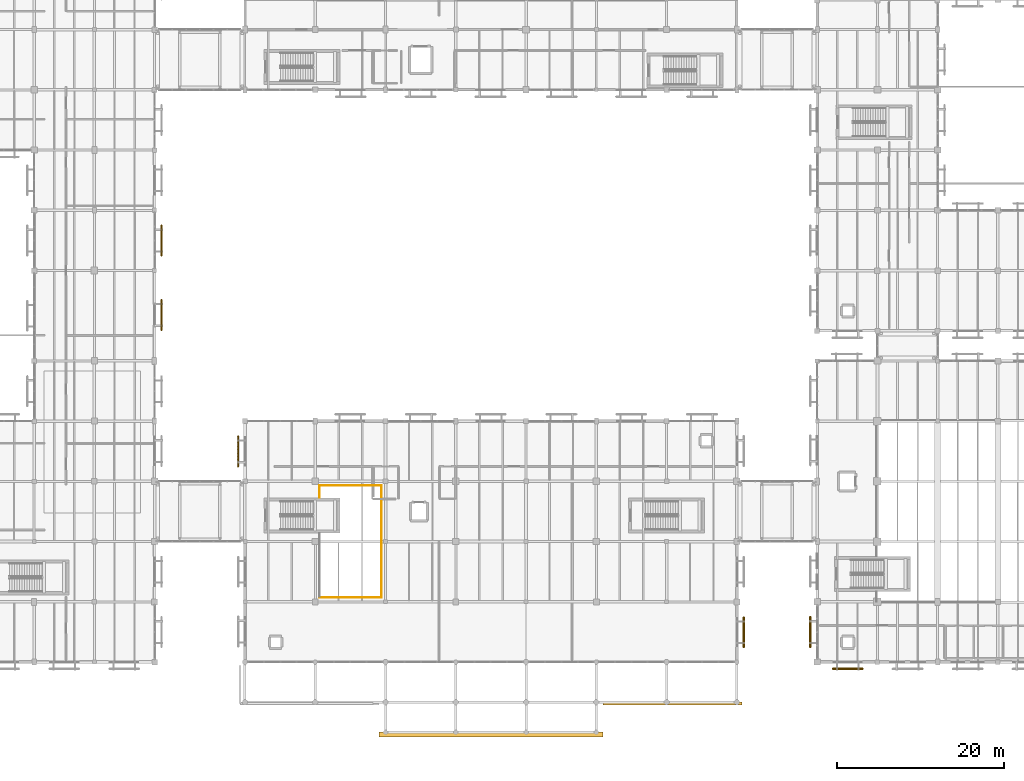
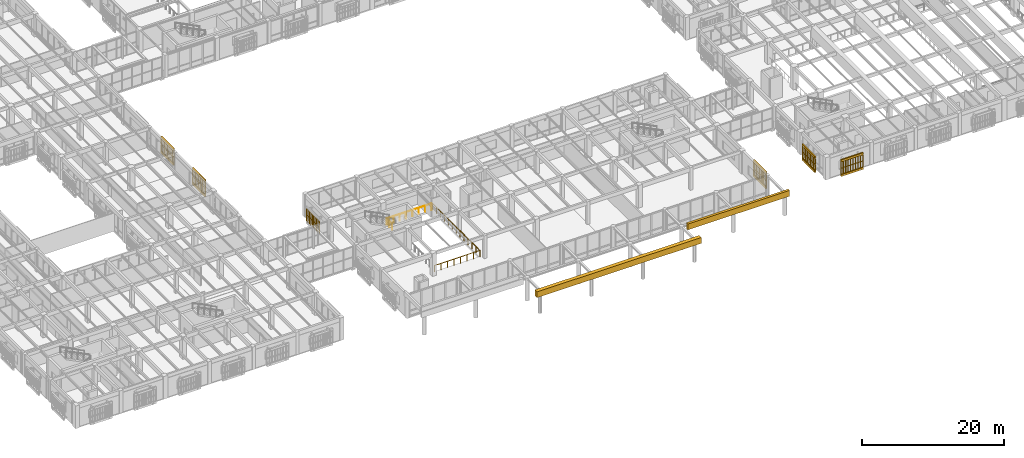
# One storey, part 153 of 170: 14 railings, 12 coverings.
"""IFC4 building model written with IfcOpenShell, lengths in metres."""

from ifc_helpers import new_model, si_unit, direction, frame, origin, origin_2d, place, context, subcontext, project, spatial, polyline, circle, outline, extrude, material, layer, layer_set, type_object, element, save


model = new_model("IFC4")

# Units and contexts
model_context = context("Model", 3, precision=1e-05, world=origin(), true_north=direction((0.0, 1.0)))
body_context = subcontext(model_context, "Body", "Model", "MODEL_VIEW")
ifc_project = project(units=[si_unit("LENGTHUNIT", "METRE"), si_unit("AREAUNIT", "SQUARE_METRE"), si_unit("VOLUMEUNIT", "CUBIC_METRE"), si_unit("PLANEANGLEUNIT", "RADIAN"), si_unit("MASSUNIT", "GRAM", prefix="KILO")], contexts=[model_context])

# Site, building, storey
site_placement = place(None, origin())
site = spatial("IfcSite", under=ifc_project, at=site_placement, CompositionType="ELEMENT")
building_placement = place(site_placement, origin())
building = spatial("IfcBuilding", under=site, at=building_placement, Name="Mazaris Harbour Polytechnic", CompositionType="ELEMENT")
storey_placement = place(building_placement, frame((0.0, 0.0, 5.39990234375)))
storey = spatial("IfcBuildingStorey", under=building, at=storey_placement, Name="L01", CompositionType="ELEMENT", Elevation=5.39990234375)

# Coverings
ifc_material_1 = material(Name="Algerian Buff Limestone", Category="masonry")
ifc_layer_1 = layer(ifc_material_1, 0.054931640625, Name="Algerian Buff Limestone")
ifc_layer_set_1 = layer_set([ifc_layer_1], Name="Algerian Buff Limestone")
covering_type_1 = type_object("IfcCoveringType", Name="Limestone Colonnade Fascia Cladding 55", PredefinedType="CLADDING", material=ifc_layer_set_1)
covering_1_placement = place(storey_placement, frame((0.0, 0.0, 3.150146484375)))
element("IfcCovering", 1, at=covering_1_placement, inside=storey, type_object=covering_type_1, Name="Covering COV-CL-02", PredefinedType="CLADDING", context=body_context, shape_type="SweptSolid", body=[
    extrude(outline(polyline([(96.800048828125, 2.050048828125), (113.39990234375, 2.050048828125), (113.39990234375, 2.449951171875), (96.800048828125, 2.449951171875), (96.800048828125, 2.050048828125)])), origin(), (0.0, 0.0, 1.0), 1.0),
])
covering_2_placement = place(storey_placement, frame((0.0, 0.0, 3.150146484375)))
element("IfcCovering", 2, at=covering_2_placement, inside=storey, type_object=covering_type_1, Name="Covering COV-CL-03", PredefinedType="CLADDING", context=body_context, shape_type="SweptSolid", body=[
    extrude(outline(polyline([(70.0, -1.75), (96.800048828125, -1.75), (96.800048828125, -1.14990234375), (70.0, -1.14990234375), (70.0, -1.75)])), origin(), (0.0, 0.0, 1.0), 1.0),
])

# Railings
ifc_material_2 = material(Name="Steel S355", Category="steel")
railing_type_1 = type_object("IfcRailingType", Name="Mezzanine Steel Guardrail 1100", PredefinedType="GUARDRAIL", material=ifc_material_2)
railing_1_placement = place(storey_placement, frame((62.89990234375, 14.89990234375, 0.0)))
element("IfcRailing", 3, at=railing_1_placement, inside=storey, type_object=railing_type_1, Name="Railing GRD-V3-REF-1", PredefinedType="GUARDRAIL", context=body_context, shape_type="SweptSolid", body=[
    extrude(circle(Radius=0.02392578125, at=origin_2d()), frame((0.0, 0.0, 1.09619140625), z_axis=(1.0, 0.0, 0.0), x_axis=(0.0, 1.0, 0.0)), (0.0, 0.0, 1.0), 7.400146484375),
    extrude(circle(Radius=0.02392578125, at=origin_2d()), frame((7.400146484375, 0.0, 1.09619140625), z_axis=(0.0, 1.0, 0.0), x_axis=(-1.0, 0.0, 0.0)), (0.0, 0.0, 1.0), 13.400146484375),
    extrude(circle(Radius=0.02099609375, at=origin_2d()), origin(), (0.0, 0.0, 1.0), 1.072021484375),
    extrude(circle(Radius=0.02099609375, at=origin_2d()), frame((1.05712890625, 0.0, 0.0)), (0.0, 0.0, 1.0), 1.072021484375),
    extrude(circle(Radius=0.02099609375, at=origin_2d()), frame((2.1142578125, 0.0, 0.0)), (0.0, 0.0, 1.0), 1.072021484375),
    extrude(circle(Radius=0.02099609375, at=origin_2d()), frame((3.17138671875, 0.0, 0.0)), (0.0, 0.0, 1.0), 1.072021484375),
    extrude(circle(Radius=0.02099609375, at=origin_2d()), frame((4.228759765625, 0.0, 0.0)), (0.0, 0.0, 1.0), 1.072021484375),
    extrude(circle(Radius=0.02099609375, at=origin_2d()), frame((5.285888671875, 0.0, 0.0)), (0.0, 0.0, 1.0), 1.072021484375),
    extrude(circle(Radius=0.02099609375, at=origin_2d()), frame((6.343017578125, 0.0, 0.0)), (0.0, 0.0, 1.0), 1.072021484375),
    extrude(circle(Radius=0.02099609375, at=origin_2d()), frame((7.400146484375, 0.0, 0.0)), (0.0, 0.0, 1.0), 1.072021484375),
    extrude(circle(Radius=0.02099609375, at=origin_2d()), frame((7.400146484375, 1.11669921875, 0.0)), (0.0, 0.0, 1.0), 1.072021484375),
    extrude(circle(Radius=0.02099609375, at=origin_2d()), frame((7.400146484375, 2.2333984375, 0.0)), (0.0, 0.0, 1.0), 1.072021484375),
    extrude(circle(Radius=0.02099609375, at=origin_2d()), frame((7.400146484375, 3.35009765625, 0.0)), (0.0, 0.0, 1.0), 1.072021484375),
    extrude(circle(Radius=0.02099609375, at=origin_2d()), frame((7.400146484375, 4.466796875, 0.0)), (0.0, 0.0, 1.0), 1.072021484375),
    extrude(circle(Radius=0.02099609375, at=origin_2d()), frame((7.400146484375, 5.58349609375, 0.0)), (0.0, 0.0, 1.0), 1.072021484375),
    extrude(circle(Radius=0.02099609375, at=origin_2d()), frame((7.400146484375, 6.7001953125, 0.0)), (0.0, 0.0, 1.0), 1.072021484375),
    extrude(circle(Radius=0.02099609375, at=origin_2d()), frame((7.400146484375, 7.816650390625, 0.0)), (0.0, 0.0, 1.0), 1.072021484375),
    extrude(circle(Radius=0.02099609375, at=origin_2d()), frame((7.400146484375, 8.933349609375, 0.0)), (0.0, 0.0, 1.0), 1.072021484375),
    extrude(circle(Radius=0.02099609375, at=origin_2d()), frame((7.400146484375, 10.050048828125, 0.0)), (0.0, 0.0, 1.0), 1.072021484375),
    extrude(circle(Radius=0.02099609375, at=origin_2d()), frame((7.400146484375, 11.166748046875, 0.0)), (0.0, 0.0, 1.0), 1.072021484375),
    extrude(circle(Radius=0.02099609375, at=origin_2d()), frame((7.400146484375, 12.283447265625, 0.0)), (0.0, 0.0, 1.0), 1.072021484375),
    extrude(circle(Radius=0.02099609375, at=origin_2d()), frame((7.400146484375, 13.400146484375, 0.0)), (0.0, 0.0, 1.0), 1.072021484375),
])
railing_2_placement = place(storey_placement, frame((70.14990234375, 28.300048828125, 0.0)))
element("IfcRailing", 4, at=railing_2_placement, inside=storey, type_object=railing_type_1, Name="Railing GRD-V3-REF-2", PredefinedType="GUARDRAIL", context=body_context, shape_type="SweptSolid", body=[
    extrude(circle(Radius=0.02392578125, at=origin_2d()), frame((0.0, 0.0, 1.09619140625), z_axis=(-1.0, 0.0, 0.0), x_axis=(0.0, -1.0, 0.0)), (0.0, 0.0, 1.0), 7.25),
    extrude(circle(Radius=0.02392578125, at=origin_2d()), frame((-7.25, 0.0, 1.09619140625), z_axis=(0.0, -1.0, 0.0), x_axis=(1.0, 0.0, 0.0)), (0.0, 0.0, 1.0), 1.449951171875),
    extrude(circle(Radius=0.02099609375, at=origin_2d()), origin(), (0.0, 0.0, 1.0), 1.072021484375),
    extrude(circle(Radius=0.02099609375, at=origin_2d()), frame((-1.03564453125, 0.0, 0.0)), (0.0, 0.0, 1.0), 1.072021484375),
    extrude(circle(Radius=0.02099609375, at=origin_2d()), frame((-2.071533203125, 0.0, 0.0)), (0.0, 0.0, 1.0), 1.072021484375),
    extrude(circle(Radius=0.02099609375, at=origin_2d()), frame((-3.107177734375, 0.0, 0.0)), (0.0, 0.0, 1.0), 1.072021484375),
    extrude(circle(Radius=0.02099609375, at=origin_2d()), frame((-4.142822265625, 0.0, 0.0)), (0.0, 0.0, 1.0), 1.072021484375),
    extrude(circle(Radius=0.02099609375, at=origin_2d()), frame((-5.178466796875, 0.0, 0.0)), (0.0, 0.0, 1.0), 1.072021484375),
    extrude(circle(Radius=0.02099609375, at=origin_2d()), frame((-6.21435546875, 0.0, 0.0)), (0.0, 0.0, 1.0), 1.072021484375),
    extrude(circle(Radius=0.02099609375, at=origin_2d()), frame((-7.25, 0.0, 0.0)), (0.0, 0.0, 1.0), 1.072021484375),
    extrude(circle(Radius=0.02099609375, at=origin_2d()), frame((-7.25, -0.72509765625, 0.0)), (0.0, 0.0, 1.0), 1.072021484375),
    extrude(circle(Radius=0.02099609375, at=origin_2d()), frame((-7.25, -1.449951171875, 0.0)), (0.0, 0.0, 1.0), 1.072021484375),
])
ifc_material_3 = material(Name="Perforated Earth-Coloured Terracotta Block", Category="masonry")
railing_type_2 = type_object("IfcRailingType", Name="Perforated Earth-Block Claustra Lattice 1040", PredefinedType="BALUSTRADE", material=ifc_material_3)
for number, where, name in (
    (5, (127.85009765625, 6.3798828125, 0.52001953125), "V2 L01 Lower Perforated Terracotta Block Screen 45"),
    (6, (127.85009765625, 6.3798828125, 1.610107421875), "V2 L01 Upper Perforated Terracotta Block Screen 45"),
):
    element("IfcRailing", number, at=place(storey_placement, frame(where)), inside=storey, type_object=railing_type_2, Name=name, PredefinedType="BALUSTRADE", context=body_context, shape_type="SweptSolid", body=[
        extrude(circle(Radius=0.06982421875, at=origin_2d()), frame((0.0, 0.0, 1.02001953125), z_axis=(-1.0, 0.0, 0.0), x_axis=(0.0, -1.0, 0.0)), (0.0, 0.0, 1.0), 3.60009765625),
        extrude(circle(Radius=0.074951171875, at=origin_2d()), origin(), (0.0, 0.0, 1.0), 0.9501953125),
        extrude(circle(Radius=0.074951171875, at=origin_2d()), frame((-0.39990234375, 0.0, 0.0)), (0.0, 0.0, 1.0), 0.9501953125),
        extrude(circle(Radius=0.074951171875, at=origin_2d()), frame((-0.800048828125, 0.0, 0.0)), (0.0, 0.0, 1.0), 0.9501953125),
        extrude(circle(Radius=0.074951171875, at=origin_2d()), frame((-1.199951171875, 0.0, 0.0)), (0.0, 0.0, 1.0), 0.9501953125),
        extrude(circle(Radius=0.074951171875, at=origin_2d()), frame((-1.60009765625, 0.0, 0.0)), (0.0, 0.0, 1.0), 0.9501953125),
        extrude(circle(Radius=0.074951171875, at=origin_2d()), frame((-2.0, 0.0, 0.0)), (0.0, 0.0, 1.0), 0.9501953125),
        extrude(circle(Radius=0.074951171875, at=origin_2d()), frame((-2.400146484375, 0.0, 0.0)), (0.0, 0.0, 1.0), 0.9501953125),
        extrude(circle(Radius=0.074951171875, at=origin_2d()), frame((-2.800048828125, 0.0, 0.0)), (0.0, 0.0, 1.0), 0.9501953125),
        extrude(circle(Radius=0.074951171875, at=origin_2d()), frame((-3.2001953125, 0.0, 0.0)), (0.0, 0.0, 1.0), 0.9501953125),
        extrude(circle(Radius=0.074951171875, at=origin_2d()), frame((-3.60009765625, 0.0, 0.0)), (0.0, 0.0, 1.0), 0.9501953125),
    ])
for number, where, name in (
    (7, (121.580078125, 8.987548828125, 0.52001953125), "V2 L01 Lower Perforated Terracotta Block Screen 58"),
    (8, (121.580078125, 8.987548828125, 1.585205078125), "V2 L01 Upper Perforated Terracotta Block Screen 58"),
):
    element("IfcRailing", number, at=place(storey_placement, frame(where)), inside=storey, type_object=railing_type_2, Name=name, PredefinedType="BALUSTRADE", context=body_context, shape_type="SweptSolid", body=[
        extrude(circle(Radius=0.06982421875, at=origin_2d()), frame((0.0, 0.0, 0.9951171875), z_axis=(0.0, 1.0, 0.0), x_axis=(-1.0, 0.0, 0.0)), (0.0, 0.0, 1.0), 3.599853515625),
        extrude(circle(Radius=0.074951171875, at=origin_2d()), origin(), (0.0, 0.0, 1.0), 0.925048828125),
        extrude(circle(Radius=0.074951171875, at=origin_2d()), frame((0.0, 0.449951171875, 0.0)), (0.0, 0.0, 1.0), 0.925048828125),
        extrude(circle(Radius=0.074951171875, at=origin_2d()), frame((0.0, 0.89990234375, 0.0)), (0.0, 0.0, 1.0), 0.925048828125),
        extrude(circle(Radius=0.074951171875, at=origin_2d()), frame((0.0, 1.349853515625, 0.0)), (0.0, 0.0, 1.0), 0.925048828125),
        extrude(circle(Radius=0.074951171875, at=origin_2d()), frame((0.0, 1.7998046875, 0.0)), (0.0, 0.0, 1.0), 0.925048828125),
        extrude(circle(Radius=0.074951171875, at=origin_2d()), frame((0.0, 2.25, 0.0)), (0.0, 0.0, 1.0), 0.925048828125),
        extrude(circle(Radius=0.074951171875, at=origin_2d()), frame((0.0, 2.699951171875, 0.0)), (0.0, 0.0, 1.0), 0.925048828125),
        extrude(circle(Radius=0.074951171875, at=origin_2d()), frame((0.0, 3.14990234375, 0.0)), (0.0, 0.0, 1.0), 0.925048828125),
        extrude(circle(Radius=0.074951171875, at=origin_2d()), frame((0.0, 3.599853515625, 0.0)), (0.0, 0.0, 1.0), 0.925048828125),
    ])
for number, where, name in (
    (9, (53.179931640625, 30.58740234375, 0.52001953125), "V3 L01 Lower Perforated Terracotta Block Screen 118"),
    (10, (53.179931640625, 30.58740234375, 1.610107421875), "V3 L01 Upper Perforated Terracotta Block Screen 118"),
):
    element("IfcRailing", number, at=place(storey_placement, frame(where)), inside=storey, type_object=railing_type_2, Name=name, PredefinedType="BALUSTRADE", context=body_context, shape_type="SweptSolid", body=[
        extrude(circle(Radius=0.06982421875, at=origin_2d()), frame((0.0, 0.0, 1.02001953125), z_axis=(0.0, 1.0, 0.0), x_axis=(-1.0, 0.0, 0.0)), (0.0, 0.0, 1.0), 3.60009765625),
        extrude(circle(Radius=0.074951171875, at=origin_2d()), origin(), (0.0, 0.0, 1.0), 0.9501953125),
        extrude(circle(Radius=0.074951171875, at=origin_2d()), frame((0.0, 0.39990234375, 0.0)), (0.0, 0.0, 1.0), 0.9501953125),
        extrude(circle(Radius=0.074951171875, at=origin_2d()), frame((0.0, 0.800048828125, 0.0)), (0.0, 0.0, 1.0), 0.9501953125),
        extrude(circle(Radius=0.074951171875, at=origin_2d()), frame((0.0, 1.199951171875, 0.0)), (0.0, 0.0, 1.0), 0.9501953125),
        extrude(circle(Radius=0.074951171875, at=origin_2d()), frame((0.0, 1.60009765625, 0.0)), (0.0, 0.0, 1.0), 0.9501953125),
        extrude(circle(Radius=0.074951171875, at=origin_2d()), frame((0.0, 2.0, 0.0)), (0.0, 0.0, 1.0), 0.9501953125),
        extrude(circle(Radius=0.074951171875, at=origin_2d()), frame((0.0, 2.400146484375, 0.0)), (0.0, 0.0, 1.0), 0.9501953125),
        extrude(circle(Radius=0.074951171875, at=origin_2d()), frame((0.0, 2.800048828125, 0.0)), (0.0, 0.0, 1.0), 0.9501953125),
        extrude(circle(Radius=0.074951171875, at=origin_2d()), frame((0.0, 3.2001953125, 0.0)), (0.0, 0.0, 1.0), 0.9501953125),
        extrude(circle(Radius=0.074951171875, at=origin_2d()), frame((0.0, 3.60009765625, 0.0)), (0.0, 0.0, 1.0), 0.9501953125),
    ])
for number, where, name in (
    (11, (113.6201171875, 12.5625, 0.52001953125), "V3 L01 Lower Perforated Terracotta Block Screen 119"),
    (12, (113.6201171875, 12.5625, 1.610107421875), "V3 L01 Upper Perforated Terracotta Block Screen 119"),
    (13, (44.02001953125, 50.5, 0.52001953125), "V4 L01 Lower Perforated Terracotta Block Screen 183"),
    (14, (44.02001953125, 50.5, 1.610107421875), "V4 L01 Upper Perforated Terracotta Block Screen 183"),
):
    element("IfcRailing", number, at=place(storey_placement, frame(where)), inside=storey, type_object=railing_type_2, Name=name, PredefinedType="BALUSTRADE", context=body_context, shape_type="SweptSolid", body=[
        extrude(circle(Radius=0.06982421875, at=origin_2d()), frame((0.0, 0.0, 1.02001953125), z_axis=(0.0, -1.0, 0.0), x_axis=(1.0, 0.0, 0.0)), (0.0, 0.0, 1.0), 3.60009765625),
        extrude(circle(Radius=0.074951171875, at=origin_2d()), origin(), (0.0, 0.0, 1.0), 0.9501953125),
        extrude(circle(Radius=0.074951171875, at=origin_2d()), frame((0.0, -0.39990234375, 0.0)), (0.0, 0.0, 1.0), 0.9501953125),
        extrude(circle(Radius=0.074951171875, at=origin_2d()), frame((0.0, -0.800048828125, 0.0)), (0.0, 0.0, 1.0), 0.9501953125),
        extrude(circle(Radius=0.074951171875, at=origin_2d()), frame((0.0, -1.199951171875, 0.0)), (0.0, 0.0, 1.0), 0.9501953125),
        extrude(circle(Radius=0.074951171875, at=origin_2d()), frame((0.0, -1.60009765625, 0.0)), (0.0, 0.0, 1.0), 0.9501953125),
        extrude(circle(Radius=0.074951171875, at=origin_2d()), frame((0.0, -2.0, 0.0)), (0.0, 0.0, 1.0), 0.9501953125),
        extrude(circle(Radius=0.074951171875, at=origin_2d()), frame((0.0, -2.400146484375, 0.0)), (0.0, 0.0, 1.0), 0.9501953125),
        extrude(circle(Radius=0.074951171875, at=origin_2d()), frame((0.0, -2.800048828125, 0.0)), (0.0, 0.0, 1.0), 0.9501953125),
        extrude(circle(Radius=0.074951171875, at=origin_2d()), frame((0.0, -3.2001953125, 0.0)), (0.0, 0.0, 1.0), 0.9501953125),
        extrude(circle(Radius=0.074951171875, at=origin_2d()), frame((0.0, -3.60009765625, 0.0)), (0.0, 0.0, 1.0), 0.9501953125),
    ])
for number, where, name in (
    (15, (44.02001953125, 59.387451171875, 0.52001953125), "V4 L01 Lower Perforated Terracotta Block Screen 184"),
    (16, (44.02001953125, 59.387451171875, 1.610107421875), "V4 L01 Upper Perforated Terracotta Block Screen 184"),
):
    element("IfcRailing", number, at=place(storey_placement, frame(where)), inside=storey, type_object=railing_type_2, Name=name, PredefinedType="BALUSTRADE", context=body_context, shape_type="SweptSolid", body=[
        extrude(circle(Radius=0.06982421875, at=origin_2d()), frame((0.0, 0.0, 1.02001953125), z_axis=(0.0, -1.0, 0.0), x_axis=(1.0, 0.0, 0.0)), (0.0, 0.0, 1.0), 3.599853515625),
        extrude(circle(Radius=0.074951171875, at=origin_2d()), origin(), (0.0, 0.0, 1.0), 0.9501953125),
        extrude(circle(Radius=0.074951171875, at=origin_2d()), frame((0.0, -0.449951171875, 0.0)), (0.0, 0.0, 1.0), 0.9501953125),
        extrude(circle(Radius=0.074951171875, at=origin_2d()), frame((0.0, -0.89990234375, 0.0)), (0.0, 0.0, 1.0), 0.9501953125),
        extrude(circle(Radius=0.074951171875, at=origin_2d()), frame((0.0, -1.349853515625, 0.0)), (0.0, 0.0, 1.0), 0.9501953125),
        extrude(circle(Radius=0.074951171875, at=origin_2d()), frame((0.0, -1.7998046875, 0.0)), (0.0, 0.0, 1.0), 0.9501953125),
        extrude(circle(Radius=0.074951171875, at=origin_2d()), frame((0.0, -2.25, 0.0)), (0.0, 0.0, 1.0), 0.9501953125),
        extrude(circle(Radius=0.074951171875, at=origin_2d()), frame((0.0, -2.699951171875, 0.0)), (0.0, 0.0, 1.0), 0.9501953125),
        extrude(circle(Radius=0.074951171875, at=origin_2d()), frame((0.0, -3.14990234375, 0.0)), (0.0, 0.0, 1.0), 0.9501953125),
        extrude(circle(Radius=0.074951171875, at=origin_2d()), frame((0.0, -3.599853515625, 0.0)), (0.0, 0.0, 1.0), 0.9501953125),
    ])

# Coverings
ifc_material_4 = material(Name="Perforated Earth-Coloured Terracotta Block", Category="masonry")
ifc_layer_2 = layer(ifc_material_4, 0.219970703125, Name="Perforated Earth-Coloured Terracotta Block")
ifc_layer_set_2 = layer_set([ifc_layer_2], Name="Perforated Earth-Coloured Terracotta Block")
covering_type_2 = type_object("IfcCoveringType", Name="Terracotta Screen Course Cladding 220", PredefinedType="CLADDING", material=ifc_layer_set_2)
covering_3_placement = place(storey_placement, frame((0.0, 0.0, 0.16015625)))
element("IfcCovering", 17, at=covering_3_placement, inside=storey, type_object=covering_type_2, Name="V2 L01 Perforated Screen Sill Course 45", PredefinedType="CLADDING", context=body_context, shape_type="SweptSolid", body=[
    extrude(outline(polyline([(127.85009765625, 6.489990234375), (124.25, 6.489990234375), (124.25, 6.27001953125), (127.85009765625, 6.27001953125), (127.85009765625, 6.489990234375)])), origin(), (0.0, 0.0, 1.0), 0.35986328125),
])
covering_4_placement = place(storey_placement, frame((0.0, 0.0, 2.7001953125)))
element("IfcCovering", 18, at=covering_4_placement, inside=storey, type_object=covering_type_2, Name="V2 L01 Perforated Screen Lintel Course 45", PredefinedType="CLADDING", context=body_context, shape_type="SweptSolid", body=[
    extrude(outline(polyline([(127.85009765625, 6.489990234375), (124.25, 6.489990234375), (124.25, 6.27001953125), (127.85009765625, 6.27001953125), (127.85009765625, 6.489990234375)])), origin(), (0.0, 0.0, 1.0), 0.33984375),
])
covering_5_placement = place(storey_placement, frame((0.0, 0.0, 0.16015625)))
element("IfcCovering", 19, at=covering_5_placement, inside=storey, type_object=covering_type_2, Name="V2 L01 Perforated Screen Sill Course 58", PredefinedType="CLADDING", context=body_context, shape_type="SweptSolid", body=[
    extrude(outline(polyline([(121.68994140625, 8.987548828125), (121.68994140625, 12.58740234375), (121.469970703125, 12.58740234375), (121.469970703125, 8.987548828125), (121.68994140625, 8.987548828125)])), origin(), (0.0, 0.0, 1.0), 0.35986328125),
])
covering_6_placement = place(storey_placement, frame((0.0, 0.0, 2.650146484375)))
element("IfcCovering", 20, at=covering_6_placement, inside=storey, type_object=covering_type_2, Name="V2 L01 Perforated Screen Lintel Course 58", PredefinedType="CLADDING", context=body_context, shape_type="SweptSolid", body=[
    extrude(outline(polyline([(121.68994140625, 8.987548828125), (121.68994140625, 12.58740234375), (121.469970703125, 12.58740234375), (121.469970703125, 8.987548828125), (121.68994140625, 8.987548828125)])), origin(), (0.0, 0.0, 1.0), 0.33984375),
])
covering_7_placement = place(storey_placement, frame((0.0, 0.0, 0.16015625)))
element("IfcCovering", 21, at=covering_7_placement, inside=storey, type_object=covering_type_2, Name="V3 L01 Perforated Screen Sill Course 119", PredefinedType="CLADDING", context=body_context, shape_type="SweptSolid", body=[
    extrude(outline(polyline([(113.510009765625, 12.5625), (113.510009765625, 8.96240234375), (113.72998046875, 8.96240234375), (113.72998046875, 12.5625), (113.510009765625, 12.5625)])), origin(), (0.0, 0.0, 1.0), 0.35986328125),
])
covering_8_placement = place(storey_placement, frame((0.0, 0.0, 2.7001953125)))
element("IfcCovering", 22, at=covering_8_placement, inside=storey, type_object=covering_type_2, Name="V3 L01 Perforated Screen Lintel Course 119", PredefinedType="CLADDING", context=body_context, shape_type="SweptSolid", body=[
    extrude(outline(polyline([(113.510009765625, 12.5625), (113.510009765625, 8.96240234375), (113.72998046875, 8.96240234375), (113.72998046875, 12.5625), (113.510009765625, 12.5625)])), origin(), (0.0, 0.0, 1.0), 0.33984375),
])
covering_9_placement = place(storey_placement, frame((0.0, 0.0, 0.16015625)))
element("IfcCovering", 23, at=covering_9_placement, inside=storey, type_object=covering_type_2, Name="V4 L01 Perforated Screen Sill Course 183", PredefinedType="CLADDING", context=body_context, shape_type="SweptSolid", body=[
    extrude(outline(polyline([(43.909912109375, 50.5), (43.909912109375, 46.89990234375), (44.1298828125, 46.89990234375), (44.1298828125, 50.5), (43.909912109375, 50.5)])), origin(), (0.0, 0.0, 1.0), 0.35986328125),
])
covering_10_placement = place(storey_placement, frame((0.0, 0.0, 2.7001953125)))
element("IfcCovering", 24, at=covering_10_placement, inside=storey, type_object=covering_type_2, Name="V4 L01 Perforated Screen Lintel Course 183", PredefinedType="CLADDING", context=body_context, shape_type="SweptSolid", body=[
    extrude(outline(polyline([(43.909912109375, 50.5), (43.909912109375, 46.89990234375), (44.1298828125, 46.89990234375), (44.1298828125, 50.5), (43.909912109375, 50.5)])), origin(), (0.0, 0.0, 1.0), 0.33984375),
])
covering_11_placement = place(storey_placement, frame((0.0, 0.0, 0.16015625)))
element("IfcCovering", 25, at=covering_11_placement, inside=storey, type_object=covering_type_2, Name="V4 L01 Perforated Screen Sill Course 184", PredefinedType="CLADDING", context=body_context, shape_type="SweptSolid", body=[
    extrude(outline(polyline([(43.909912109375, 59.387451171875), (43.909912109375, 55.78759765625), (44.1298828125, 55.78759765625), (44.1298828125, 59.387451171875), (43.909912109375, 59.387451171875)])), origin(), (0.0, 0.0, 1.0), 0.35986328125),
])
covering_12_placement = place(storey_placement, frame((0.0, 0.0, 2.7001953125)))
element("IfcCovering", 26, at=covering_12_placement, inside=storey, type_object=covering_type_2, Name="V4 L01 Perforated Screen Lintel Course 184", PredefinedType="CLADDING", context=body_context, shape_type="SweptSolid", body=[
    extrude(outline(polyline([(43.909912109375, 59.387451171875), (43.909912109375, 55.78759765625), (44.1298828125, 55.78759765625), (44.1298828125, 59.387451171875), (43.909912109375, 59.387451171875)])), origin(), (0.0, 0.0, 1.0), 0.33984375),
])

save(model, "model.ifc")
